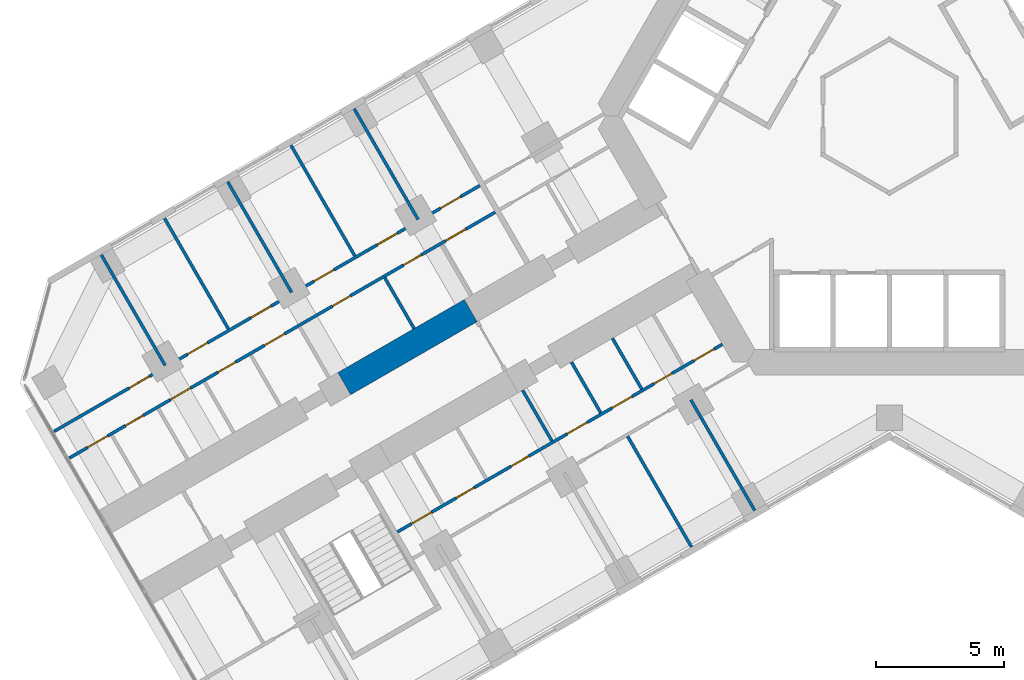
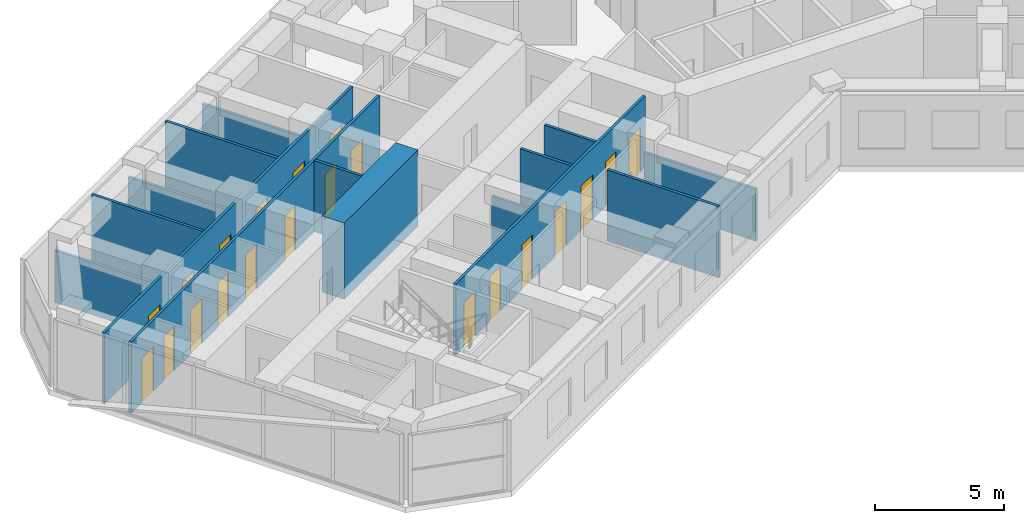
# One storey, part 11 of 21: 21 doors, 15 walls, 21 openings.
"""IFC4 building model written with IfcOpenShell, lengths in metres."""

from ifc_helpers import new_model, si_unit, direction, frame, frame_2d, origin, place, context, subcontext, project, spatial, rectangle, extrude, material, layer, layer_set, type_object, element, fill, save


model = new_model("IFC4")

# Units and contexts
model_context = context("Model", 3, precision=1e-05, world=origin(), true_north=direction((0.0, 1.0)))
body_context = subcontext(model_context, "Body", "Model", "MODEL_VIEW")
ifc_project = project(units=[si_unit("LENGTHUNIT", "METRE"), si_unit("AREAUNIT", "SQUARE_METRE"), si_unit("VOLUMEUNIT", "CUBIC_METRE"), si_unit("PLANEANGLEUNIT", "RADIAN"), si_unit("MASSUNIT", "GRAM", prefix="KILO")], contexts=[model_context])

# Site, building, storey
site_placement = place(None, origin())
site = spatial("IfcSite", under=ifc_project, at=site_placement, CompositionType="ELEMENT")
building_placement = place(site_placement, origin())
building = spatial("IfcBuilding", under=site, at=building_placement, Name="Kosmar Iwan School Tower", CompositionType="ELEMENT")
storey_placement = place(building_placement, frame((0.0, 0.0, 53.800048828125)))
storey = spatial("IfcBuildingStorey", under=building, at=storey_placement, Name="L12", CompositionType="ELEMENT", Elevation=53.800048828125)

# Wall
ifc_material_1 = material(Name="Concrete C50/60", Category="concrete")
ifc_layer_1 = layer(ifc_material_1, 1.0)
ifc_layer_set_1 = layer_set([ifc_layer_1], Name="Corridor buttress wall 1000")
wall_type_1 = type_object("IfcWallType", Name="Corridor buttress wall 1000", PredefinedType="SHEAR", material=ifc_layer_set_1)
wall_1_placement = place(storey_placement, frame((-16.34521484375, -7.58935546875, 0.0), z_axis=(0.0, 0.0, 1.0), x_axis=(-0.866015111908, -0.50001782563, 0.0)))
element("IfcWall", 1, at=wall_1_placement, inside=storey, type_object=wall_type_1, Name="Corridor wall BR bay 2", PredefinedType="SHEAR", context=body_context, shape_type="SweptSolid", body=[
    extrude(rectangle(XDim=5.699951171875, YDim=1.0, at=frame_2d((2.85009765625, 0.0))), origin(), (0.0, 0.0, 1.0), 3.599853515625),
])

# Wall, openings, doors
ifc_material_2 = material(Name="Gypsum board on steel studs", Category="steel")
ifc_layer_2 = layer(ifc_material_2, 0.1201171875)
ifc_layer_set_2 = layer_set([ifc_layer_2], Name="Dwelling partition 120")
wall_type_2 = type_object("IfcWallType", Name="Dwelling partition 120", PredefinedType="PARTITIONING", material=ifc_layer_set_2)
wall_2_placement = place(storey_placement, frame((-6.521728515625, -8.90380859375, 0.0), z_axis=(0.0, 0.0, 1.0), x_axis=(-0.866030734856, -0.4999907662, 0.0)))
wall_2 = element("IfcWall", 2, at=wall_2_placement, inside=storey, type_object=wall_type_2, Name="Partition L12-BL1-W1", PredefinedType="PARTITIONING", context=body_context, shape_type="SweptSolid", body=[
    extrude(rectangle(XDim=14.650146484375, YDim=0.1201171875, at=frame_2d((7.3251953125, 0.0))), origin(), (0.0, 0.0, 1.0), 3.349853515625),
])
opening_1_placement = place(wall_2_placement, frame((0.375, 0.0, 0.0)))
opening_1 = element("IfcOpeningElement", 3, at=opening_1_placement, cuts=wall_2, Name="Opening D2", PredefinedType="OPENING", context=body_context, shape_type="SweptSolid", body=[
    extrude(rectangle(XDim=0.89990234375, YDim=2.10009765625, at=frame_2d((0.449951171875, 1.050048828125))), frame((0.0, 0.072021484375, 0.0), z_axis=(0.0, -1.0, 0.0), x_axis=(1.0, 0.0, 0.0)), (0.0, 0.0, 1.0), 0.14404296875),
])
opening_2_placement = place(wall_2_placement, frame((2.27490234375, 0.0, 0.0)))
opening_2 = element("IfcOpeningElement", 4, at=opening_2_placement, cuts=wall_2, Name="Opening D3", PredefinedType="OPENING", context=body_context, shape_type="SweptSolid", body=[
    extrude(rectangle(XDim=0.800048828125, YDim=2.10009765625, at=frame_2d((0.39990234375, 1.050048828125))), frame((0.0, 0.072021484375, 0.0), z_axis=(0.0, -1.0, 0.0), x_axis=(1.0, 0.0, 0.0)), (0.0, 0.0, 1.0), 0.14404296875),
])
opening_3_placement = place(wall_2_placement, frame((4.074951171875, 0.0, 0.0)))
opening_3 = element("IfcOpeningElement", 5, at=opening_3_placement, cuts=wall_2, Name="Opening D2", PredefinedType="OPENING", context=body_context, shape_type="SweptSolid", body=[
    extrude(rectangle(XDim=0.89990234375, YDim=2.10009765625, at=frame_2d((0.449951171875, 1.050048828125))), frame((0.0, 0.072021484375, 0.0), z_axis=(0.0, -1.0, 0.0), x_axis=(1.0, 0.0, 0.0)), (0.0, 0.0, 1.0), 0.14404296875),
])
opening_4_placement = place(wall_2_placement, frame((6.10009765625, 0.0, 0.0)))
opening_4 = element("IfcOpeningElement", 6, at=opening_4_placement, cuts=wall_2, Name="Opening D2", PredefinedType="OPENING", context=body_context, shape_type="SweptSolid", body=[
    extrude(rectangle(XDim=0.89990234375, YDim=2.10009765625, at=frame_2d((0.449951171875, 1.050048828125))), frame((0.0, 0.072021484375, 0.0), z_axis=(0.0, -1.0, 0.0), x_axis=(1.0, 0.0, 0.0)), (0.0, 0.0, 1.0), 0.14404296875),
])
opening_5_placement = place(wall_2_placement, frame((8.728515625, 0.0, 0.0)))
opening_5 = element("IfcOpeningElement", 7, at=opening_5_placement, cuts=wall_2, Name="Opening D3", PredefinedType="OPENING", context=body_context, shape_type="SweptSolid", body=[
    extrude(rectangle(XDim=0.800048828125, YDim=2.10009765625, at=frame_2d((0.39990234375, 1.050048828125))), frame((0.0, 0.072021484375, 0.0), z_axis=(0.0, -1.0, 0.0), x_axis=(1.0, 0.0, 0.0)), (0.0, 0.0, 1.0), 0.14404296875),
])
opening_6_placement = place(wall_2_placement, frame((11.19287109375, 0.0, 0.0)))
opening_6 = element("IfcOpeningElement", 8, at=opening_6_placement, cuts=wall_2, Name="Opening D3", PredefinedType="OPENING", context=body_context, shape_type="SweptSolid", body=[
    extrude(rectangle(XDim=0.800048828125, YDim=2.10009765625, at=frame_2d((0.39990234375, 1.050048828125))), frame((0.0, 0.072021484375, 0.0), z_axis=(0.0, -1.0, 0.0), x_axis=(1.0, 0.0, 0.0)), (0.0, 0.0, 1.0), 0.14404296875),
])
opening_7_placement = place(wall_2_placement, frame((13.1142578125, 0.0, 0.0)))
opening_7 = element("IfcOpeningElement", 9, at=opening_7_placement, cuts=wall_2, Name="Opening D2", PredefinedType="OPENING", context=body_context, shape_type="SweptSolid", body=[
    extrude(rectangle(XDim=0.89990234375, YDim=2.10009765625, at=frame_2d((0.449951171875, 1.050048828125))), frame((0.0, 0.072021484375, 0.0), z_axis=(0.0, -1.0, 0.0), x_axis=(1.0, 0.0, 0.0)), (0.0, 0.0, 1.0), 0.14404296875),
])
ifc_material_3 = material(Name="Timber door in timber frame", Category="wood")
door_type_1 = type_object("IfcDoorType", Name="Internal door 900x2100", OperationType="SINGLE_SWING_LEFT", PredefinedType="DOOR", material=ifc_material_3)
door_1_placement = place(opening_1_placement, origin())
door_1 = element("IfcDoor", 10, at=door_1_placement, inside=storey, type_object=door_type_1, Name="Dressing room door L12-BL1-S1", OperationType="SINGLE_SWING_LEFT", OverallHeight=2.10009765625, OverallWidth=0.89990234375, PredefinedType="DOOR", context=body_context, shape_type="SweptSolid", body=[
    extrude(rectangle(XDim=0.89990234375, YDim=2.10009765625, at=frame_2d((0.449951171875, 1.050048828125))), frame((0.0, 0.02490234375, 0.0), z_axis=(0.0, -1.0, 0.0), x_axis=(1.0, 0.0, 0.0)), (0.0, 0.0, 1.0), 0.050048828125),
])
fill(opening_1, door_1)
door_2_placement = place(opening_3_placement, origin())
door_2 = element("IfcDoor", 11, at=door_2_placement, inside=storey, type_object=door_type_1, Name="Pantry door L12-BL1-S3", OperationType="SINGLE_SWING_LEFT", OverallHeight=2.10009765625, OverallWidth=0.89990234375, PredefinedType="DOOR", context=body_context, shape_type="SweptSolid", body=[
    extrude(rectangle(XDim=0.89990234375, YDim=2.10009765625, at=frame_2d((0.449951171875, 1.050048828125))), frame((0.0, 0.02490234375, 0.0), z_axis=(0.0, -1.0, 0.0), x_axis=(1.0, 0.0, 0.0)), (0.0, 0.0, 1.0), 0.050048828125),
])
fill(opening_3, door_2)
door_3_placement = place(opening_4_placement, origin())
door_3 = element("IfcDoor", 12, at=door_3_placement, inside=storey, type_object=door_type_1, Name="Entrance hall door L12-BL1-S4", OperationType="SINGLE_SWING_LEFT", OverallHeight=2.10009765625, OverallWidth=0.89990234375, PredefinedType="DOOR", context=body_context, shape_type="SweptSolid", body=[
    extrude(rectangle(XDim=0.89990234375, YDim=2.10009765625, at=frame_2d((0.449951171875, 1.050048828125))), frame((0.0, 0.02490234375, 0.0), z_axis=(0.0, -1.0, 0.0), x_axis=(1.0, 0.0, 0.0)), (0.0, 0.0, 1.0), 0.050048828125),
])
fill(opening_4, door_3)
door_4_placement = place(opening_7_placement, frame((0.89990234375, 0.0, 0.0), z_axis=(0.0, 0.0, 1.0), x_axis=(-1.0, 0.0, 0.0)))
door_4 = element("IfcDoor", 13, at=door_4_placement, inside=storey, type_object=door_type_1, Name="Utility room door L12-BL1-S7", OperationType="SINGLE_SWING_LEFT", OverallHeight=2.10009765625, OverallWidth=0.89990234375, PredefinedType="DOOR", context=body_context, shape_type="SweptSolid", body=[
    extrude(rectangle(XDim=0.89990234375, YDim=2.10009765625, at=frame_2d((0.449951171875, 1.050048828125))), frame((0.0, 0.02490234375, 0.0), z_axis=(0.0, -1.0, 0.0), x_axis=(1.0, 0.0, 0.0)), (0.0, 0.0, 1.0), 0.050048828125),
])
fill(opening_7, door_4)
ifc_material_4 = material(Name="Timber door in timber frame", Category="wood")
door_type_2 = type_object("IfcDoorType", Name="Sanitary room door 800x2100", OperationType="SINGLE_SWING_LEFT", PredefinedType="DOOR", material=ifc_material_4)
door_5_placement = place(opening_2_placement, origin())
door_5 = element("IfcDoor", 14, at=door_5_placement, inside=storey, type_object=door_type_2, Name="Store door L12-BL1-S2", OperationType="SINGLE_SWING_LEFT", OverallHeight=2.10009765625, OverallWidth=0.800048828125, PredefinedType="DOOR", context=body_context, shape_type="SweptSolid", body=[
    extrude(rectangle(XDim=0.800048828125, YDim=2.10009765625, at=frame_2d((0.39990234375, 1.050048828125))), frame((0.0, 0.02490234375, 0.0), z_axis=(0.0, -1.0, 0.0), x_axis=(1.0, 0.0, 0.0)), (0.0, 0.0, 1.0), 0.050048828125),
])
fill(opening_2, door_5)
door_6_placement = place(opening_5_placement, origin())
door_6 = element("IfcDoor", 15, at=door_6_placement, inside=storey, type_object=door_type_2, Name="Bathroom door L12-BL1-S5", OperationType="SINGLE_SWING_RIGHT", OverallHeight=2.10009765625, OverallWidth=0.800048828125, PredefinedType="DOOR", context=body_context, shape_type="SweptSolid", body=[
    extrude(rectangle(XDim=0.800048828125, YDim=2.10009765625, at=frame_2d((0.39990234375, 1.050048828125))), frame((0.0, 0.02490234375, 0.0), z_axis=(0.0, -1.0, 0.0), x_axis=(1.0, 0.0, 0.0)), (0.0, 0.0, 1.0), 0.050048828125),
])
fill(opening_5, door_6)
door_7_placement = place(opening_6_placement, origin())
door_7 = element("IfcDoor", 16, at=door_7_placement, inside=storey, type_object=door_type_2, Name="WC door L12-BL1-S6", OperationType="SINGLE_SWING_RIGHT", OverallHeight=2.10009765625, OverallWidth=0.800048828125, PredefinedType="DOOR", context=body_context, shape_type="SweptSolid", body=[
    extrude(rectangle(XDim=0.800048828125, YDim=2.10009765625, at=frame_2d((0.39990234375, 1.050048828125))), frame((0.0, 0.02490234375, 0.0), z_axis=(0.0, -1.0, 0.0), x_axis=(1.0, 0.0, 0.0)), (0.0, 0.0, 1.0), 0.050048828125),
])
fill(opening_6, door_7)

# Walls
wall_3_placement = place(storey_placement, frame((-7.75390625, -11.070068359375, 0.0), z_axis=(0.0, 0.0, 1.0), x_axis=(0.500033033937, -0.866006330792, 0.0)))
element("IfcWall", 17, at=wall_3_placement, inside=storey, type_object=wall_type_2, Name="Partition L12-BL1-X1", PredefinedType="PARTITIONING", context=body_context, shape_type="SweptSolid", body=[
    extrude(rectangle(XDim=4.989990234375, YDim=0.1201171875, at=frame_2d((2.4951171875, 0.0))), origin(), (0.0, 0.0, 1.0), 2.449951171875),
])
wall_4_placement = place(storey_placement, frame((-10.221923828125, -12.4951171875, 0.0), z_axis=(0.0, 0.0, 1.0), x_axis=(0.499996339024, -0.86602751744, 0.0)))
element("IfcWall", 18, at=wall_4_placement, inside=storey, type_object=wall_type_2, Name="Partition L12-BL1-X2", PredefinedType="PARTITIONING", context=body_context, shape_type="SweptSolid", body=[
    extrude(rectangle(XDim=4.98974609375, YDim=0.1201171875, at=frame_2d((2.494873046875, 0.0))), origin(), (0.0, 0.0, 1.0), 3.349853515625),
])
for number, where, z_axis, x_axis, name in (
    (19, (-10.814453125, -8.668701171875, 0.0), (0.0, 0.0, 1.0), (0.500014693593, -0.866016920268, 0.0), "Partition L12-BL1-Y2"),
    (20, (-12.416748046875, -9.59375, 0.0), (0.0, 0.0, 1.0), (0.500014693593, -0.866016920268, 0.0), "Partition L12-BL1-Y3"),
):
    element("IfcWall", number, at=place(storey_placement, frame(where, z_axis=z_axis, x_axis=x_axis)), inside=storey, type_object=wall_type_2, Name=name, PredefinedType="PARTITIONING", context=body_context, shape_type="SweptSolid", body=[
        extrude(rectangle(XDim=2.2900390625, YDim=0.1201171875, at=frame_2d((1.14501953125, 0.0))), origin(), (0.0, 0.0, 1.0), 3.349853515625),
    ])
wall_5_placement = place(storey_placement, frame((-14.322021484375, -10.693603515625, 0.0), z_axis=(0.0, 0.0, 1.0), x_axis=(0.500014693593, -0.866016920268, 0.0)))
element("IfcWall", 21, at=wall_5_placement, inside=storey, type_object=wall_type_2, Name="Partition L12-BL1-Y4", PredefinedType="PARTITIONING", context=body_context, shape_type="SweptSolid", body=[
    extrude(rectangle(XDim=2.2900390625, YDim=0.1201171875, at=frame_2d((1.14501953125, 0.0))), origin(), (0.0, 0.0, 1.0), 2.449951171875),
])

# Wall, openings, doors
wall_6_placement = place(storey_placement, frame((-15.388671875, -3.74609375, 0.0), z_axis=(0.0, 0.0, 1.0), x_axis=(-0.866021011428, -0.500007607708, 0.0)))
wall_6 = element("IfcWall", 22, at=wall_6_placement, inside=storey, type_object=wall_type_2, Name="Partition L12-BR2-W1", PredefinedType="PARTITIONING", context=body_context, shape_type="SweptSolid", body=[
    extrude(rectangle(XDim=19.195068359375, YDim=0.1201171875, at=frame_2d((9.59765625, 0.0))), origin(), (0.0, 0.0, 1.0), 3.349853515625),
])
opening_8_placement = place(wall_6_placement, frame((1.32861328125, 0.0, 0.0)))
opening_8 = element("IfcOpeningElement", 23, at=opening_8_placement, cuts=wall_6, Name="Opening D2", PredefinedType="OPENING", context=body_context, shape_type="SweptSolid", body=[
    extrude(rectangle(XDim=0.89990234375, YDim=2.10009765625, at=frame_2d((0.449951171875, 1.050048828125))), frame((0.0, 0.072021484375, 0.0), z_axis=(0.0, -1.0, 0.0), x_axis=(1.0, 0.0, 0.0)), (0.0, 0.0, 1.0), 0.14404296875),
])
opening_9_placement = place(wall_6_placement, frame((3.335693359375, 0.0, 0.0)))
opening_9 = element("IfcOpeningElement", 24, at=opening_9_placement, cuts=wall_6, Name="Opening D3", PredefinedType="OPENING", context=body_context, shape_type="SweptSolid", body=[
    extrude(rectangle(XDim=0.800048828125, YDim=2.10009765625, at=frame_2d((0.39990234375, 1.050048828125))), frame((0.0, 0.072021484375, 0.0), z_axis=(0.0, -1.0, 0.0), x_axis=(1.0, 0.0, 0.0)), (0.0, 0.0, 1.0), 0.14404296875),
])
opening_10_placement = place(wall_6_placement, frame((6.5322265625, 0.0, 0.0)))
opening_10 = element("IfcOpeningElement", 25, at=opening_10_placement, cuts=wall_6, Name="Opening D3", PredefinedType="OPENING", context=body_context, shape_type="SweptSolid", body=[
    extrude(rectangle(XDim=0.800048828125, YDim=2.10009765625, at=frame_2d((0.39990234375, 1.050048828125))), frame((0.0, 0.072021484375, 0.0), z_axis=(0.0, -1.0, 0.0), x_axis=(1.0, 0.0, 0.0)), (0.0, 0.0, 1.0), 0.14404296875),
])
opening_11_placement = place(wall_6_placement, frame((9.5, 0.0, 0.0)))
opening_11 = element("IfcOpeningElement", 26, at=opening_11_placement, cuts=wall_6, Name="Opening D2", PredefinedType="OPENING", context=body_context, shape_type="SweptSolid", body=[
    extrude(rectangle(XDim=0.89990234375, YDim=2.10009765625, at=frame_2d((0.449951171875, 1.050048828125))), frame((0.0, 0.072021484375, 0.0), z_axis=(0.0, -1.0, 0.0), x_axis=(1.0, 0.0, 0.0)), (0.0, 0.0, 1.0), 0.14404296875),
])
opening_12_placement = place(wall_6_placement, frame((11.69384765625, 0.0, 0.0)))
opening_12 = element("IfcOpeningElement", 27, at=opening_12_placement, cuts=wall_6, Name="Opening D3", PredefinedType="OPENING", context=body_context, shape_type="SweptSolid", body=[
    extrude(rectangle(XDim=0.800048828125, YDim=2.10009765625, at=frame_2d((0.39990234375, 1.050048828125))), frame((0.0, 0.072021484375, 0.0), z_axis=(0.0, -1.0, 0.0), x_axis=(1.0, 0.0, 0.0)), (0.0, 0.0, 1.0), 0.14404296875),
])
opening_13_placement = place(wall_6_placement, frame((13.731201171875, 0.0, 0.0)))
opening_13 = element("IfcOpeningElement", 28, at=opening_13_placement, cuts=wall_6, Name="Opening D2", PredefinedType="OPENING", context=body_context, shape_type="SweptSolid", body=[
    extrude(rectangle(XDim=0.89990234375, YDim=2.10009765625, at=frame_2d((0.449951171875, 1.050048828125))), frame((0.0, 0.072021484375, 0.0), z_axis=(0.0, -1.0, 0.0), x_axis=(1.0, 0.0, 0.0)), (0.0, 0.0, 1.0), 0.14404296875),
])
opening_14_placement = place(wall_6_placement, frame((15.86865234375, 0.0, 0.0)))
opening_14 = element("IfcOpeningElement", 29, at=opening_14_placement, cuts=wall_6, Name="Opening D3", PredefinedType="OPENING", context=body_context, shape_type="SweptSolid", body=[
    extrude(rectangle(XDim=0.800048828125, YDim=2.10009765625, at=frame_2d((0.39990234375, 1.050048828125))), frame((0.0, 0.072021484375, 0.0), z_axis=(0.0, -1.0, 0.0), x_axis=(1.0, 0.0, 0.0)), (0.0, 0.0, 1.0), 0.14404296875),
])
opening_15_placement = place(wall_6_placement, frame((17.472412109375, 0.0, 0.0)))
opening_15 = element("IfcOpeningElement", 30, at=opening_15_placement, cuts=wall_6, Name="Opening D2", PredefinedType="OPENING", context=body_context, shape_type="SweptSolid", body=[
    extrude(rectangle(XDim=0.89990234375, YDim=2.10009765625, at=frame_2d((0.449951171875, 1.050048828125))), frame((0.0, 0.072021484375, 0.0), z_axis=(0.0, -1.0, 0.0), x_axis=(1.0, 0.0, 0.0)), (0.0, 0.0, 1.0), 0.14404296875),
])
door_8_placement = place(opening_8_placement, origin())
door_8 = element("IfcDoor", 31, at=door_8_placement, inside=storey, type_object=door_type_1, Name="Utility room door L12-BR2-S1", OperationType="SINGLE_SWING_RIGHT", OverallHeight=2.10009765625, OverallWidth=0.89990234375, PredefinedType="DOOR", context=body_context, shape_type="SweptSolid", body=[
    extrude(rectangle(XDim=0.89990234375, YDim=2.10009765625, at=frame_2d((0.449951171875, 1.050048828125))), frame((0.0, 0.02490234375, 0.0), z_axis=(0.0, -1.0, 0.0), x_axis=(1.0, 0.0, 0.0)), (0.0, 0.0, 1.0), 0.050048828125),
])
fill(opening_8, door_8)
door_9_placement = place(opening_11_placement, origin())
door_9 = element("IfcDoor", 32, at=door_9_placement, inside=storey, type_object=door_type_1, Name="Entrance hall door L12-BR2-S4", OperationType="SINGLE_SWING_RIGHT", OverallHeight=2.10009765625, OverallWidth=0.89990234375, PredefinedType="DOOR", context=body_context, shape_type="SweptSolid", body=[
    extrude(rectangle(XDim=0.89990234375, YDim=2.10009765625, at=frame_2d((0.449951171875, 1.050048828125))), frame((0.0, 0.02490234375, 0.0), z_axis=(0.0, -1.0, 0.0), x_axis=(1.0, 0.0, 0.0)), (0.0, 0.0, 1.0), 0.050048828125),
])
fill(opening_11, door_9)
door_10_placement = place(opening_13_placement, origin())
door_10 = element("IfcDoor", 33, at=door_10_placement, inside=storey, type_object=door_type_1, Name="Pantry door L12-BR2-S6", OperationType="SINGLE_SWING_RIGHT", OverallHeight=2.10009765625, OverallWidth=0.89990234375, PredefinedType="DOOR", context=body_context, shape_type="SweptSolid", body=[
    extrude(rectangle(XDim=0.89990234375, YDim=2.10009765625, at=frame_2d((0.449951171875, 1.050048828125))), frame((0.0, 0.02490234375, 0.0), z_axis=(0.0, -1.0, 0.0), x_axis=(1.0, 0.0, 0.0)), (0.0, 0.0, 1.0), 0.050048828125),
])
fill(opening_13, door_10)
door_11_placement = place(opening_15_placement, origin())
door_11 = element("IfcDoor", 34, at=door_11_placement, inside=storey, type_object=door_type_1, Name="Dressing room door L12-BR2-S8", OperationType="SINGLE_SWING_LEFT", OverallHeight=2.10009765625, OverallWidth=0.89990234375, PredefinedType="DOOR", context=body_context, shape_type="SweptSolid", body=[
    extrude(rectangle(XDim=0.89990234375, YDim=2.10009765625, at=frame_2d((0.449951171875, 1.050048828125))), frame((0.0, 0.02490234375, 0.0), z_axis=(0.0, -1.0, 0.0), x_axis=(1.0, 0.0, 0.0)), (0.0, 0.0, 1.0), 0.050048828125),
])
fill(opening_15, door_11)
door_12_placement = place(opening_9_placement, origin())
door_12 = element("IfcDoor", 35, at=door_12_placement, inside=storey, type_object=door_type_2, Name="WC door L12-BR2-S2", OperationType="SINGLE_SWING_RIGHT", OverallHeight=2.10009765625, OverallWidth=0.800048828125, PredefinedType="DOOR", context=body_context, shape_type="SweptSolid", body=[
    extrude(rectangle(XDim=0.800048828125, YDim=2.10009765625, at=frame_2d((0.39990234375, 1.050048828125))), frame((0.0, 0.02490234375, 0.0), z_axis=(0.0, -1.0, 0.0), x_axis=(1.0, 0.0, 0.0)), (0.0, 0.0, 1.0), 0.050048828125),
])
fill(opening_9, door_12)
door_13_placement = place(opening_10_placement, origin())
door_13 = element("IfcDoor", 36, at=door_13_placement, inside=storey, type_object=door_type_2, Name="Bathroom door L12-BR2-S3", OperationType="SINGLE_SWING_LEFT", OverallHeight=2.10009765625, OverallWidth=0.800048828125, PredefinedType="DOOR", context=body_context, shape_type="SweptSolid", body=[
    extrude(rectangle(XDim=0.800048828125, YDim=2.10009765625, at=frame_2d((0.39990234375, 1.050048828125))), frame((0.0, 0.02490234375, 0.0), z_axis=(0.0, -1.0, 0.0), x_axis=(1.0, 0.0, 0.0)), (0.0, 0.0, 1.0), 0.050048828125),
])
fill(opening_10, door_13)
door_14_placement = place(opening_12_placement, origin())
door_14 = element("IfcDoor", 37, at=door_14_placement, inside=storey, type_object=door_type_2, Name="Shower room door L12-BR2-S5", OperationType="SINGLE_SWING_LEFT", OverallHeight=2.10009765625, OverallWidth=0.800048828125, PredefinedType="DOOR", context=body_context, shape_type="SweptSolid", body=[
    extrude(rectangle(XDim=0.800048828125, YDim=2.10009765625, at=frame_2d((0.39990234375, 1.050048828125))), frame((0.0, 0.02490234375, 0.0), z_axis=(0.0, -1.0, 0.0), x_axis=(1.0, 0.0, 0.0)), (0.0, 0.0, 1.0), 0.050048828125),
])
fill(opening_12, door_14)
door_15_placement = place(opening_14_placement, origin())
door_15 = element("IfcDoor", 38, at=door_15_placement, inside=storey, type_object=door_type_2, Name="Store door L12-BR2-S7", OperationType="SINGLE_SWING_LEFT", OverallHeight=2.10009765625, OverallWidth=0.800048828125, PredefinedType="DOOR", context=body_context, shape_type="SweptSolid", body=[
    extrude(rectangle(XDim=0.800048828125, YDim=2.10009765625, at=frame_2d((0.39990234375, 1.050048828125))), frame((0.0, 0.02490234375, 0.0), z_axis=(0.0, -1.0, 0.0), x_axis=(1.0, 0.0, 0.0)), (0.0, 0.0, 1.0), 0.050048828125),
])
fill(opening_14, door_15)

wall_7_placement = place(storey_placement, frame((-15.988525390625, -2.70703125, 0.0), z_axis=(0.0, 0.0, 1.0), x_axis=(-0.866029698618, -0.499992561057, 0.0)))
wall_7 = element("IfcWall", 39, at=wall_7_placement, inside=storey, type_object=wall_type_2, Name="Partition L12-BR2-W2", PredefinedType="PARTITIONING", context=body_context, shape_type="SweptSolid", body=[
    extrude(rectangle(XDim=19.195068359375, YDim=0.1201171875, at=frame_2d((9.59765625, 0.0))), origin(), (0.0, 0.0, 1.0), 3.349853515625),
])
opening_16_placement = place(wall_7_placement, frame((0.875, 0.0, 0.0)))
opening_16 = element("IfcOpeningElement", 40, at=opening_16_placement, cuts=wall_7, Name="Opening D2", PredefinedType="OPENING", context=body_context, shape_type="SweptSolid", body=[
    extrude(rectangle(XDim=0.89990234375, YDim=2.10009765625, at=frame_2d((0.449951171875, 1.050048828125))), frame((0.0, 0.072021484375, 0.0), z_axis=(0.0, -1.0, 0.0), x_axis=(1.0, 0.0, 0.0)), (0.0, 0.0, 1.0), 0.14404296875),
])
opening_17_placement = place(wall_7_placement, frame((3.72509765625, 0.0, 0.0)))
opening_17 = element("IfcOpeningElement", 41, at=opening_17_placement, cuts=wall_7, Name="Opening D2", PredefinedType="OPENING", context=body_context, shape_type="SweptSolid", body=[
    extrude(rectangle(XDim=0.89990234375, YDim=2.10009765625, at=frame_2d((0.449951171875, 1.050048828125))), frame((0.0, 0.072021484375, 0.0), z_axis=(0.0, -1.0, 0.0), x_axis=(1.0, 0.0, 0.0)), (0.0, 0.0, 1.0), 0.14404296875),
])
opening_18_placement = place(wall_7_placement, frame((6.574951171875, 0.0, 0.0)))
opening_18 = element("IfcOpeningElement", 42, at=opening_18_placement, cuts=wall_7, Name="Opening D2", PredefinedType="OPENING", context=body_context, shape_type="SweptSolid", body=[
    extrude(rectangle(XDim=0.89990234375, YDim=2.10009765625, at=frame_2d((0.449951171875, 1.050048828125))), frame((0.0, 0.072021484375, 0.0), z_axis=(0.0, -1.0, 0.0), x_axis=(1.0, 0.0, 0.0)), (0.0, 0.0, 1.0), 0.14404296875),
])
opening_19_placement = place(wall_7_placement, frame((9.425048828125, 0.0, 0.0)))
opening_19 = element("IfcOpeningElement", 43, at=opening_19_placement, cuts=wall_7, Name="Opening D2", PredefinedType="OPENING", context=body_context, shape_type="SweptSolid", body=[
    extrude(rectangle(XDim=0.89990234375, YDim=2.10009765625, at=frame_2d((0.449951171875, 1.050048828125))), frame((0.0, 0.072021484375, 0.0), z_axis=(0.0, -1.0, 0.0), x_axis=(1.0, 0.0, 0.0)), (0.0, 0.0, 1.0), 0.14404296875),
])
opening_20_placement = place(wall_7_placement, frame((12.27490234375, 0.0, 0.0)))
opening_20 = element("IfcOpeningElement", 44, at=opening_20_placement, cuts=wall_7, Name="Opening D2", PredefinedType="OPENING", context=body_context, shape_type="SweptSolid", body=[
    extrude(rectangle(XDim=0.89990234375, YDim=2.10009765625, at=frame_2d((0.449951171875, 1.050048828125))), frame((0.0, 0.072021484375, 0.0), z_axis=(0.0, -1.0, 0.0), x_axis=(1.0, 0.0, 0.0)), (0.0, 0.0, 1.0), 0.14404296875),
])
opening_21_placement = place(wall_7_placement, frame((14.89990234375, 0.0, 0.0)))
opening_21 = element("IfcOpeningElement", 45, at=opening_21_placement, cuts=wall_7, Name="Opening D2", PredefinedType="OPENING", context=body_context, shape_type="SweptSolid", body=[
    extrude(rectangle(XDim=0.89990234375, YDim=2.10009765625, at=frame_2d((0.449951171875, 1.050048828125))), frame((0.0, 0.072021484375, 0.0), z_axis=(0.0, -1.0, 0.0), x_axis=(1.0, 0.0, 0.0)), (0.0, 0.0, 1.0), 0.14404296875),
])
door_16_placement = place(opening_16_placement, origin())
door_16 = element("IfcDoor", 46, at=door_16_placement, inside=storey, type_object=door_type_1, Name="Bedroom 1 door L12-BR2-F1", OperationType="SINGLE_SWING_LEFT", OverallHeight=2.10009765625, OverallWidth=0.89990234375, PredefinedType="DOOR", context=body_context, shape_type="SweptSolid", body=[
    extrude(rectangle(XDim=0.89990234375, YDim=2.10009765625, at=frame_2d((0.449951171875, 1.050048828125))), frame((0.0, 0.02490234375, 0.0), z_axis=(0.0, -1.0, 0.0), x_axis=(1.0, 0.0, 0.0)), (0.0, 0.0, 1.0), 0.050048828125),
])
fill(opening_16, door_16)
door_17_placement = place(opening_17_placement, origin())
door_17 = element("IfcDoor", 47, at=door_17_placement, inside=storey, type_object=door_type_1, Name="Bedroom 2 door L12-BR2-F2", OperationType="SINGLE_SWING_LEFT", OverallHeight=2.10009765625, OverallWidth=0.89990234375, PredefinedType="DOOR", context=body_context, shape_type="SweptSolid", body=[
    extrude(rectangle(XDim=0.89990234375, YDim=2.10009765625, at=frame_2d((0.449951171875, 1.050048828125))), frame((0.0, 0.02490234375, 0.0), z_axis=(0.0, -1.0, 0.0), x_axis=(1.0, 0.0, 0.0)), (0.0, 0.0, 1.0), 0.050048828125),
])
fill(opening_17, door_17)
door_18_placement = place(opening_18_placement, origin())
door_18 = element("IfcDoor", 48, at=door_18_placement, inside=storey, type_object=door_type_1, Name="Study door L12-BR2-F3", OperationType="SINGLE_SWING_LEFT", OverallHeight=2.10009765625, OverallWidth=0.89990234375, PredefinedType="DOOR", context=body_context, shape_type="SweptSolid", body=[
    extrude(rectangle(XDim=0.89990234375, YDim=2.10009765625, at=frame_2d((0.449951171875, 1.050048828125))), frame((0.0, 0.02490234375, 0.0), z_axis=(0.0, -1.0, 0.0), x_axis=(1.0, 0.0, 0.0)), (0.0, 0.0, 1.0), 0.050048828125),
])
fill(opening_18, door_18)
door_19_placement = place(opening_19_placement, origin())
door_19 = element("IfcDoor", 49, at=door_19_placement, inside=storey, type_object=door_type_1, Name="Bedroom 3 door L12-BR2-F4", OperationType="SINGLE_SWING_RIGHT", OverallHeight=2.10009765625, OverallWidth=0.89990234375, PredefinedType="DOOR", context=body_context, shape_type="SweptSolid", body=[
    extrude(rectangle(XDim=0.89990234375, YDim=2.10009765625, at=frame_2d((0.449951171875, 1.050048828125))), frame((0.0, 0.02490234375, 0.0), z_axis=(0.0, -1.0, 0.0), x_axis=(1.0, 0.0, 0.0)), (0.0, 0.0, 1.0), 0.050048828125),
])
fill(opening_19, door_19)
door_20_placement = place(opening_20_placement, origin())
door_20 = element("IfcDoor", 50, at=door_20_placement, inside=storey, type_object=door_type_1, Name="Bedroom 4 door L12-BR2-F5", OperationType="SINGLE_SWING_RIGHT", OverallHeight=2.10009765625, OverallWidth=0.89990234375, PredefinedType="DOOR", context=body_context, shape_type="SweptSolid", body=[
    extrude(rectangle(XDim=0.89990234375, YDim=2.10009765625, at=frame_2d((0.449951171875, 1.050048828125))), frame((0.0, 0.02490234375, 0.0), z_axis=(0.0, -1.0, 0.0), x_axis=(1.0, 0.0, 0.0)), (0.0, 0.0, 1.0), 0.050048828125),
])
fill(opening_20, door_20)
door_21_placement = place(opening_21_placement, origin())
door_21 = element("IfcDoor", 51, at=door_21_placement, inside=storey, type_object=door_type_1, Name="Living room and kitchen door L12-BR2-F6", OperationType="SINGLE_SWING_RIGHT", OverallHeight=2.10009765625, OverallWidth=0.89990234375, PredefinedType="DOOR", context=body_context, shape_type="SweptSolid", body=[
    extrude(rectangle(XDim=0.89990234375, YDim=2.10009765625, at=frame_2d((0.449951171875, 1.050048828125))), frame((0.0, 0.02490234375, 0.0), z_axis=(0.0, -1.0, 0.0), x_axis=(1.0, 0.0, 0.0)), (0.0, 0.0, 1.0), 0.050048828125),
])
fill(opening_21, door_21)

# Walls
wall_8_placement = place(storey_placement, frame((-18.400146484375, -4.030029296875, 0.0), z_axis=(0.0, 0.0, 1.0), x_axis=(-0.500011847778, 0.866018563358, 0.0)))
element("IfcWall", 52, at=wall_8_placement, inside=storey, type_object=wall_type_2, Name="Partition L12-BR2-X1", PredefinedType="PARTITIONING", context=body_context, shape_type="SweptSolid", body=[
    extrude(rectangle(XDim=4.990234375, YDim=0.1201171875, at=frame_2d((2.4951171875, 0.0))), origin(), (0.0, 0.0, 1.0), 2.449951171875),
])
wall_9_placement = place(storey_placement, frame((-20.868408203125, -5.455078125, 0.0), z_axis=(0.0, 0.0, 1.0), x_axis=(-0.499975153383, 0.86603974851, 0.0)))
element("IfcWall", 53, at=wall_9_placement, inside=storey, type_object=wall_type_2, Name="Partition L12-BR2-X2", PredefinedType="PARTITIONING", context=body_context, shape_type="SweptSolid", body=[
    extrude(rectangle(XDim=4.989990234375, YDim=0.1201171875, at=frame_2d((2.4951171875, 0.0))), origin(), (0.0, 0.0, 1.0), 3.349853515625),
])
wall_10_placement = place(storey_placement, frame((-23.33642578125, -6.8798828125, 0.0), z_axis=(0.0, 0.0, 1.0), x_axis=(-0.500033033937, 0.866006330792, 0.0)))
element("IfcWall", 54, at=wall_10_placement, inside=storey, type_object=wall_type_2, Name="Partition L12-BR2-X3", PredefinedType="PARTITIONING", context=body_context, shape_type="SweptSolid", body=[
    extrude(rectangle(XDim=4.989990234375, YDim=0.1201171875, at=frame_2d((2.4951171875, 0.0))), origin(), (0.0, 0.0, 1.0), 2.449951171875),
])
wall_11_placement = place(storey_placement, frame((-25.8046875, -8.304931640625, 0.0), z_axis=(0.0, 0.0, 1.0), x_axis=(-0.499975153383, 0.86603974851, 0.0)))
element("IfcWall", 55, at=wall_11_placement, inside=storey, type_object=wall_type_2, Name="Partition L12-BR2-X4", PredefinedType="PARTITIONING", context=body_context, shape_type="SweptSolid", body=[
    extrude(rectangle(XDim=4.989990234375, YDim=0.1201171875, at=frame_2d((2.4951171875, 0.0))), origin(), (0.0, 0.0, 1.0), 3.349853515625),
])
wall_12_placement = place(storey_placement, frame((-28.27294921875, -9.72998046875, 0.0), z_axis=(0.0, 0.0, 1.0), x_axis=(-0.499975153383, 0.86603974851, 0.0)))
element("IfcWall", 56, at=wall_12_placement, inside=storey, type_object=wall_type_2, Name="Partition L12-BR2-X5", PredefinedType="PARTITIONING", context=body_context, shape_type="SweptSolid", body=[
    extrude(rectangle(XDim=4.989990234375, YDim=0.1201171875, at=frame_2d((2.4951171875, 0.0))), origin(), (0.0, 0.0, 1.0), 2.449951171875),
])
wall_13_placement = place(storey_placement, frame((-18.55615234375, -8.28857421875, 0.0), z_axis=(0.0, 0.0, 1.0), x_axis=(-0.499968531483, 0.866043571379, 0.0)))
element("IfcWall", 57, at=wall_13_placement, inside=storey, type_object=wall_type_2, Name="Partition L12-BR2-Y2", PredefinedType="PARTITIONING", context=body_context, shape_type="SweptSolid", body=[
    extrude(rectangle(XDim=2.290283203125, YDim=0.1201171875, at=frame_2d((1.14501953125, 0.0))), origin(), (0.0, 0.0, 1.0), 3.349853515625),
])

save(model, "model.ifc")
